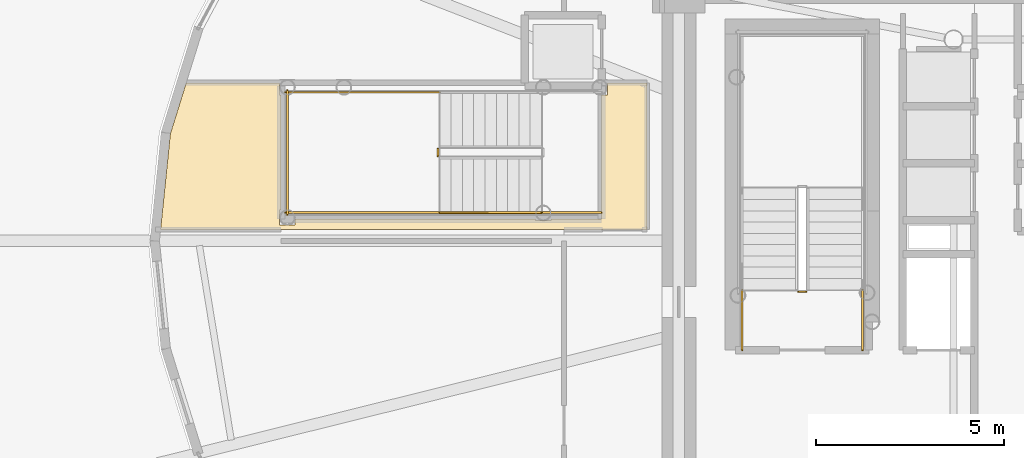
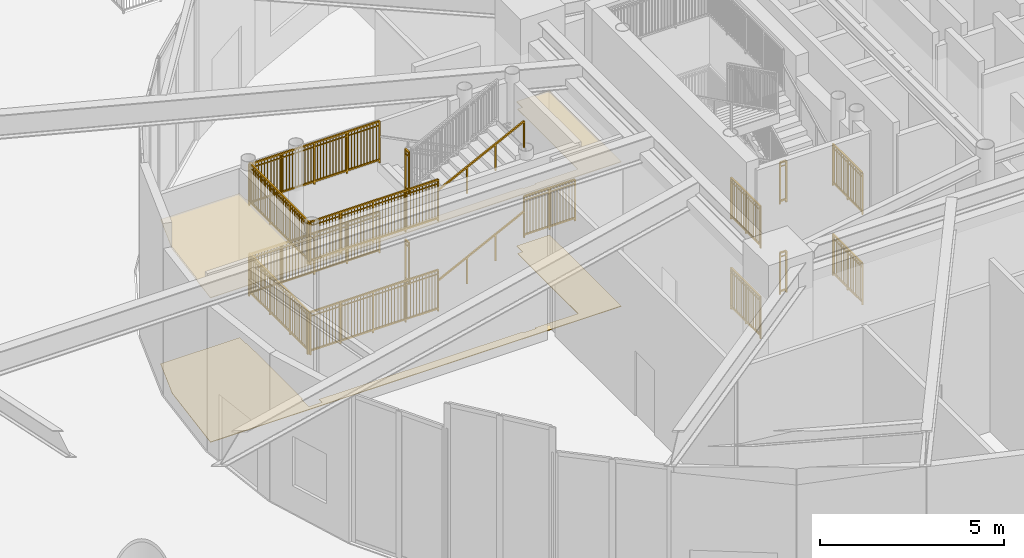
# One storey, part 34 of 46: 17 railings, 2 coverings.
"""IFC4 building model written with IfcOpenShell, lengths in metres."""

from ifc_helpers import new_model, si_unit, direction, frame, origin, origin_2d, place, context, subcontext, project, spatial, polyline, rectangle, outline, extrude, source, transform, mapped, material, layer, layer_set, type_object, element, save


model = new_model("IFC4")

# Units and contexts
model_context = context("Model", 3, precision=1e-05, world=origin(), true_north=direction((0.0, 1.0)))
body_context = subcontext(model_context, "Body", "Model", "MODEL_VIEW")
ifc_project = project(units=[si_unit("LENGTHUNIT", "METRE"), si_unit("AREAUNIT", "SQUARE_METRE"), si_unit("VOLUMEUNIT", "CUBIC_METRE"), si_unit("PLANEANGLEUNIT", "RADIAN"), si_unit("MASSUNIT", "GRAM", prefix="KILO")], contexts=[model_context])

# Site, building, storey
site_placement = place(None, origin())
site = spatial("IfcSite", under=ifc_project, at=site_placement, CompositionType="ELEMENT")
building_placement = place(site_placement, origin())
building = spatial("IfcBuilding", under=site, at=building_placement, Name="Linh Dai School and Residence Tower", CompositionType="ELEMENT")
storey_placement = place(building_placement, origin())
storey = spatial("IfcBuildingStorey", under=building, at=storey_placement, Name="L00", CompositionType="ELEMENT", Elevation=0.0)

# Coverings
ifc_material_1 = material(Name="Mineral Fibre Acoustic Suspended Ceiling", Category="masonry")
ifc_layer_1 = layer(ifc_material_1, 0.02001953125)
ifc_layer_set_1 = layer_set([ifc_layer_1], Name="Mineral Fibre Acoustic Suspended Ceiling")
covering_type_1 = type_object("IfcCoveringType", Name="COV-CEIL-AC-20", PredefinedType="CEILING", material=ifc_layer_set_1)
covering_1_placement = place(storey_placement, frame((0.0, 0.0, 4.800048828125)))
element("IfcCovering", 1, at=covering_1_placement, inside=storey, type_object=covering_type_1, Name="L00 Protected Exit Stair STS1 Discharge Passage West Suspended Ceiling", PredefinedType="CEILING", context=body_context, shape_type="SweptSolid", body=[
    extrude(outline(polyline([(12.962890625, 31.199951171875), (15.44677734375, 31.199951171875), (15.44677734375, 30.876708984375), (15.47998046875, 30.876708984375), (15.47998046875, 27.8232421875), (15.44677734375, 27.8232421875), (15.44677734375, 27.416748046875), (15.853271484375, 27.416748046875), (15.853271484375, 27.580078125), (22.246826171875, 27.580078125), (22.246826171875, 27.536865234375), (22.6533203125, 27.536865234375), (22.6533203125, 27.580078125), (24.0, 27.580078125), (24.0, 30.876708984375), (24.1533203125, 30.876708984375), (24.1533203125, 31.199951171875), (25.199951171875, 31.199951171875), (25.199951171875, 27.300048828125), (12.280517578125, 27.300048828125), (12.540283203125, 29.84375), (12.962890625, 31.199951171875)])), origin(), (0.0, 0.0, 1.0), 0.02001953125),
])
ifc_material_2 = material(Name="Polished Terrazzo Floor Finish", Category="masonry")
ifc_layer_2 = layer(ifc_material_2, 0.02490234375)
ifc_layer_set_2 = layer_set([ifc_layer_2], Name="Polished Terrazzo Floor Finish")
covering_type_2 = type_object("IfcCoveringType", Name="COV-FLR-TRZ-25", PredefinedType="FLOORING", material=ifc_layer_set_2)
covering_2_placement = place(storey_placement, origin())
element("IfcCovering", 2, at=covering_2_placement, inside=storey, type_object=covering_type_2, Name="L00 Protected Exit Stair STS1 Discharge Passage West Floor Finish", PredefinedType="FLOORING", context=body_context, shape_type="SweptSolid", body=[
    extrude(outline(polyline([(12.962890625, 31.199951171875), (15.44677734375, 31.199951171875), (15.44677734375, 30.876708984375), (15.47998046875, 30.876708984375), (15.47998046875, 27.8232421875), (15.44677734375, 27.8232421875), (15.44677734375, 27.416748046875), (15.853271484375, 27.416748046875), (15.853271484375, 27.580078125), (22.246826171875, 27.580078125), (22.246826171875, 27.536865234375), (22.6533203125, 27.536865234375), (22.6533203125, 27.580078125), (24.0, 27.580078125), (24.0, 30.876708984375), (24.1533203125, 30.876708984375), (24.1533203125, 31.199951171875), (25.199951171875, 31.199951171875), (25.199951171875, 27.300048828125), (12.280517578125, 27.300048828125), (12.540283203125, 29.84375), (12.962890625, 31.199951171875)])), origin(), (0.0, 0.0, 1.0), 0.02001953125),
])

# Railings
ifc_material_3 = material(Name="Structural Steel S355JR", Category="steel")
railing_type_1 = type_object("IfcRailingType", Name="RL-ST-GUARD-1400", PredefinedType="GUARDRAIL", material=ifc_material_3)
shared_shape_1 = source(origin(), body_context, "Body", "SweptSolid", [
    extrude(rectangle(XDim=0.048095703125, YDim=0.048095703125, at=origin_2d()), frame((0.0, 0.0, 1.3759765625), z_axis=(-1.0, 0.0, 0.0), x_axis=(0.0, -1.0, 0.0)), (0.0, 0.0, 1.0), 0.199951171875),
    extrude(rectangle(XDim=0.048095703125, YDim=0.048095703125, at=origin_2d()), frame((0.0, 0.0, 0.10009765625), z_axis=(-1.0, 0.0, 0.0), x_axis=(0.0, -1.0, 0.0)), (0.0, 0.0, 1.0), 0.199951171875),
    extrude(rectangle(XDim=0.030029296875, YDim=0.030029296875, at=origin_2d()), frame((0.0, 0.0, 1.239990234375), z_axis=(-1.0, 0.0, 0.0), x_axis=(0.0, -1.0, 0.0)), (0.0, 0.0, 1.0), 0.199951171875),
    extrude(rectangle(XDim=0.0419921875, YDim=0.0419921875, at=origin_2d()), origin(), (0.0, 0.0, 1.0), 1.3759765625),
    extrude(rectangle(XDim=0.0419921875, YDim=0.0419921875, at=origin_2d()), frame((-0.199951171875, 0.0, 0.0)), (0.0, 0.0, 1.0), 1.3759765625),
])
for number, where, name in (
    (3, (29.429931640625, 25.64990234375, 3.0), "L00 ST1 stair guard 7"),
    (4, (29.429931640625, 25.64990234375, 0.0), "L00 ST1 stair guard 16"),
):
    element("IfcRailing", number, at=place(storey_placement, frame(where)), inside=storey, type_object=railing_type_1, Name=name, PredefinedType="GUARDRAIL", context=body_context, shape_type="MappedRepresentation", body=[
        mapped(shared_shape_1, transform((0.0, 0.0, 0.0), x_axis=(1.0, 0.0, 0.0), y_axis=(0.0, 1.0, 0.0), z_axis=(0.0, 0.0, 1.0), scale=1.0)),
    ])
shared_shape_2 = source(origin(), body_context, "Body", "SweptSolid", [
    extrude(rectangle(XDim=0.048095703125, YDim=0.048095703125, at=origin_2d()), frame((0.0, 0.0, 1.3759765625), z_axis=(0.0, 1.0, 0.0), x_axis=(-1.0, 0.0, 0.0)), (0.0, 0.0, 1.0), 1.599853515625),
    extrude(rectangle(XDim=0.048095703125, YDim=0.048095703125, at=origin_2d()), frame((0.0, 0.0, 0.10009765625), z_axis=(0.0, 1.0, 0.0), x_axis=(-1.0, 0.0, 0.0)), (0.0, 0.0, 1.0), 1.599853515625),
    extrude(rectangle(XDim=0.030029296875, YDim=0.030029296875, at=origin_2d()), frame((0.0, 0.0, 1.239990234375), z_axis=(0.0, 1.0, 0.0), x_axis=(-1.0, 0.0, 0.0)), (0.0, 0.0, 1.0), 1.599853515625),
    extrude(rectangle(XDim=0.02001953125, YDim=0.02001953125, at=origin_2d()), frame((0.0, 0.093994140625, 0.10009765625)), (0.0, 0.0, 1.0), 1.251708984375),
    extrude(rectangle(XDim=0.02001953125, YDim=0.02001953125, at=origin_2d()), frame((0.0, 0.188232421875, 0.10009765625)), (0.0, 0.0, 1.0), 1.251708984375),
    extrude(rectangle(XDim=0.02001953125, YDim=0.02001953125, at=origin_2d()), frame((0.0, 0.2822265625, 0.10009765625)), (0.0, 0.0, 1.0), 1.251708984375),
    extrude(rectangle(XDim=0.02001953125, YDim=0.02001953125, at=origin_2d()), frame((0.0, 0.37646484375, 0.10009765625)), (0.0, 0.0, 1.0), 1.251708984375),
    extrude(rectangle(XDim=0.02001953125, YDim=0.02001953125, at=origin_2d()), frame((0.0, 0.470458984375, 0.10009765625)), (0.0, 0.0, 1.0), 1.251708984375),
    extrude(rectangle(XDim=0.02001953125, YDim=0.02001953125, at=origin_2d()), frame((0.0, 0.564697265625, 0.10009765625)), (0.0, 0.0, 1.0), 1.251708984375),
    extrude(rectangle(XDim=0.02001953125, YDim=0.02001953125, at=origin_2d()), frame((0.0, 0.65869140625, 0.10009765625)), (0.0, 0.0, 1.0), 1.251708984375),
    extrude(rectangle(XDim=0.02001953125, YDim=0.02001953125, at=origin_2d()), frame((0.0, 0.7529296875, 0.10009765625)), (0.0, 0.0, 1.0), 1.251708984375),
    extrude(rectangle(XDim=0.02001953125, YDim=0.02001953125, at=origin_2d()), frame((0.0, 0.846923828125, 0.10009765625)), (0.0, 0.0, 1.0), 1.251708984375),
    extrude(rectangle(XDim=0.02001953125, YDim=0.02001953125, at=origin_2d()), frame((0.0, 0.941162109375, 0.10009765625)), (0.0, 0.0, 1.0), 1.251708984375),
    extrude(rectangle(XDim=0.02001953125, YDim=0.02001953125, at=origin_2d()), frame((0.0, 1.03515625, 0.10009765625)), (0.0, 0.0, 1.0), 1.251708984375),
    extrude(rectangle(XDim=0.02001953125, YDim=0.02001953125, at=origin_2d()), frame((0.0, 1.12939453125, 0.10009765625)), (0.0, 0.0, 1.0), 1.251708984375),
    extrude(rectangle(XDim=0.02001953125, YDim=0.02001953125, at=origin_2d()), frame((0.0, 1.223388671875, 0.10009765625)), (0.0, 0.0, 1.0), 1.251708984375),
    extrude(rectangle(XDim=0.02001953125, YDim=0.02001953125, at=origin_2d()), frame((0.0, 1.317626953125, 0.10009765625)), (0.0, 0.0, 1.0), 1.251708984375),
    extrude(rectangle(XDim=0.02001953125, YDim=0.02001953125, at=origin_2d()), frame((0.0, 1.41162109375, 0.10009765625)), (0.0, 0.0, 1.0), 1.251708984375),
    extrude(rectangle(XDim=0.02001953125, YDim=0.02001953125, at=origin_2d()), frame((0.0, 1.505859375, 0.10009765625)), (0.0, 0.0, 1.0), 1.251708984375),
    extrude(rectangle(XDim=0.0419921875, YDim=0.0419921875, at=origin_2d()), origin(), (0.0, 0.0, 1.0), 1.3759765625),
    extrude(rectangle(XDim=0.0419921875, YDim=0.0419921875, at=origin_2d()), frame((0.0, 0.7998046875, 0.0)), (0.0, 0.0, 1.0), 1.3759765625),
    extrude(rectangle(XDim=0.0419921875, YDim=0.0419921875, at=origin_2d()), frame((0.0, 1.599853515625, 0.0)), (0.0, 0.0, 1.0), 1.3759765625),
])
for number, where, name in (
    (5, (30.929931640625, 24.10009765625, 3.0), "L00 ST1 stair guard 8"),
    (6, (27.72998046875, 24.10009765625, 3.0), "L00 ST1 stair guard 9"),
    (7, (30.929931640625, 24.10009765625, 0.0), "L00 ST1 stair guard 17"),
    (8, (27.72998046875, 24.10009765625, 0.0), "L00 ST1 stair guard 18"),
):
    element("IfcRailing", number, at=place(storey_placement, frame(where)), inside=storey, type_object=railing_type_1, Name=name, PredefinedType="GUARDRAIL", context=body_context, shape_type="MappedRepresentation", body=[
        mapped(shared_shape_2, transform((0.0, 0.0, 0.0), x_axis=(1.0, 0.0, 0.0), y_axis=(0.0, 1.0, 0.0), z_axis=(0.0, 0.0, 1.0), scale=1.0)),
    ])
shared_shape_3 = source(origin(), body_context, "Body", "SweptSolid", [
    extrude(rectangle(XDim=0.048095703125, YDim=0.048095703125, at=origin_2d()), frame((0.0, 0.0, 1.3759765625), z_axis=(0.0, -1.0, 0.0), x_axis=(1.0, 0.0, 0.0)), (0.0, 0.0, 1.0), 0.199951171875),
    extrude(rectangle(XDim=0.048095703125, YDim=0.048095703125, at=origin_2d()), frame((0.0, 0.0, 0.10009765625), z_axis=(0.0, -1.0, 0.0), x_axis=(1.0, 0.0, 0.0)), (0.0, 0.0, 1.0), 0.199951171875),
    extrude(rectangle(XDim=0.030029296875, YDim=0.030029296875, at=origin_2d()), frame((0.0, 0.0, 1.239990234375), z_axis=(0.0, -1.0, 0.0), x_axis=(1.0, 0.0, 0.0)), (0.0, 0.0, 1.0), 0.199951171875),
    extrude(rectangle(XDim=0.0419921875, YDim=0.0419921875, at=origin_2d()), origin(), (0.0, 0.0, 1.0), 1.3759765625),
    extrude(rectangle(XDim=0.0419921875, YDim=0.0419921875, at=origin_2d()), frame((0.0, -0.199951171875, 0.0)), (0.0, 0.0, 1.0), 1.3759765625),
])
for number, where, name in (
    (9, (19.64990234375, 29.449951171875, 1.5), "L00 STS1 stair guard 2"),
    (10, (19.64990234375, 29.449951171875, 4.5), "L00 STS1 stair guard 11"),
):
    element("IfcRailing", number, at=place(storey_placement, frame(where)), inside=storey, type_object=railing_type_1, Name=name, PredefinedType="GUARDRAIL", context=body_context, shape_type="MappedRepresentation", body=[
        mapped(shared_shape_3, transform((0.0, 0.0, 0.0), x_axis=(1.0, 0.0, 0.0), y_axis=(0.0, 1.0, 0.0), z_axis=(0.0, 0.0, 1.0), scale=1.0)),
    ])
shared_shape_4 = source(origin(), body_context, "Body", "SweptSolid", [
    extrude(rectangle(XDim=0.048095703125, YDim=0.048095703125, at=origin_2d()), frame((0.0, 0.0, 1.3759765625), z_axis=(-1.0, 0.0, 0.0), x_axis=(0.0, -1.0, 0.0)), (0.0, 0.0, 1.0), 4.099853515625),
    extrude(rectangle(XDim=0.048095703125, YDim=0.048095703125, at=origin_2d()), frame((0.0, 0.0, 0.10009765625), z_axis=(-1.0, 0.0, 0.0), x_axis=(0.0, -1.0, 0.0)), (0.0, 0.0, 1.0), 4.099853515625),
    extrude(rectangle(XDim=0.030029296875, YDim=0.030029296875, at=origin_2d()), frame((0.0, 0.0, 1.239990234375), z_axis=(-1.0, 0.0, 0.0), x_axis=(0.0, -1.0, 0.0)), (0.0, 0.0, 1.0), 4.099853515625),
    extrude(rectangle(XDim=0.02001953125, YDim=0.02001953125, at=origin_2d()), frame((-0.09765625, 0.0, 0.10009765625)), (0.0, 0.0, 1.0), 1.251708984375),
    extrude(rectangle(XDim=0.02001953125, YDim=0.02001953125, at=origin_2d()), frame((-0.1953125, 0.0, 0.10009765625)), (0.0, 0.0, 1.0), 1.251708984375),
    extrude(rectangle(XDim=0.02001953125, YDim=0.02001953125, at=origin_2d()), frame((-0.29296875, 0.0, 0.10009765625)), (0.0, 0.0, 1.0), 1.251708984375),
    extrude(rectangle(XDim=0.02001953125, YDim=0.02001953125, at=origin_2d()), frame((-0.390380859375, 0.0, 0.10009765625)), (0.0, 0.0, 1.0), 1.251708984375),
    extrude(rectangle(XDim=0.02001953125, YDim=0.02001953125, at=origin_2d()), frame((-0.488037109375, 0.0, 0.10009765625)), (0.0, 0.0, 1.0), 1.251708984375),
    extrude(rectangle(XDim=0.02001953125, YDim=0.02001953125, at=origin_2d()), frame((-0.585693359375, 0.0, 0.10009765625)), (0.0, 0.0, 1.0), 1.251708984375),
    extrude(rectangle(XDim=0.02001953125, YDim=0.02001953125, at=origin_2d()), frame((-0.683349609375, 0.0, 0.10009765625)), (0.0, 0.0, 1.0), 1.251708984375),
    extrude(rectangle(XDim=0.02001953125, YDim=0.02001953125, at=origin_2d()), frame((-0.781005859375, 0.0, 0.10009765625)), (0.0, 0.0, 1.0), 1.251708984375),
    extrude(rectangle(XDim=0.02001953125, YDim=0.02001953125, at=origin_2d()), frame((-0.87841796875, 0.0, 0.10009765625)), (0.0, 0.0, 1.0), 1.251708984375),
    extrude(rectangle(XDim=0.02001953125, YDim=0.02001953125, at=origin_2d()), frame((-0.97607421875, 0.0, 0.10009765625)), (0.0, 0.0, 1.0), 1.251708984375),
    extrude(rectangle(XDim=0.02001953125, YDim=0.02001953125, at=origin_2d()), frame((-1.07373046875, 0.0, 0.10009765625)), (0.0, 0.0, 1.0), 1.251708984375),
    extrude(rectangle(XDim=0.02001953125, YDim=0.02001953125, at=origin_2d()), frame((-1.17138671875, 0.0, 0.10009765625)), (0.0, 0.0, 1.0), 1.251708984375),
    extrude(rectangle(XDim=0.02001953125, YDim=0.02001953125, at=origin_2d()), frame((-1.26904296875, 0.0, 0.10009765625)), (0.0, 0.0, 1.0), 1.251708984375),
    extrude(rectangle(XDim=0.02001953125, YDim=0.02001953125, at=origin_2d()), frame((-1.36669921875, 0.0, 0.10009765625)), (0.0, 0.0, 1.0), 1.251708984375),
    extrude(rectangle(XDim=0.02001953125, YDim=0.02001953125, at=origin_2d()), frame((-1.46435546875, 0.0, 0.10009765625)), (0.0, 0.0, 1.0), 1.251708984375),
    extrude(rectangle(XDim=0.02001953125, YDim=0.02001953125, at=origin_2d()), frame((-1.561767578125, 0.0, 0.10009765625)), (0.0, 0.0, 1.0), 1.251708984375),
    extrude(rectangle(XDim=0.02001953125, YDim=0.02001953125, at=origin_2d()), frame((-1.659423828125, 0.0, 0.10009765625)), (0.0, 0.0, 1.0), 1.251708984375),
    extrude(rectangle(XDim=0.02001953125, YDim=0.02001953125, at=origin_2d()), frame((-1.757080078125, 0.0, 0.10009765625)), (0.0, 0.0, 1.0), 1.251708984375),
    extrude(rectangle(XDim=0.02001953125, YDim=0.02001953125, at=origin_2d()), frame((-1.854736328125, 0.0, 0.10009765625)), (0.0, 0.0, 1.0), 1.251708984375),
    extrude(rectangle(XDim=0.02001953125, YDim=0.02001953125, at=origin_2d()), frame((-1.952392578125, 0.0, 0.10009765625)), (0.0, 0.0, 1.0), 1.251708984375),
    extrude(rectangle(XDim=0.02001953125, YDim=0.02001953125, at=origin_2d()), frame((-2.1474609375, 0.0, 0.10009765625)), (0.0, 0.0, 1.0), 1.251708984375),
    extrude(rectangle(XDim=0.02001953125, YDim=0.02001953125, at=origin_2d()), frame((-2.2451171875, 0.0, 0.10009765625)), (0.0, 0.0, 1.0), 1.251708984375),
    extrude(rectangle(XDim=0.02001953125, YDim=0.02001953125, at=origin_2d()), frame((-2.3427734375, 0.0, 0.10009765625)), (0.0, 0.0, 1.0), 1.251708984375),
    extrude(rectangle(XDim=0.02001953125, YDim=0.02001953125, at=origin_2d()), frame((-2.4404296875, 0.0, 0.10009765625)), (0.0, 0.0, 1.0), 1.251708984375),
    extrude(rectangle(XDim=0.02001953125, YDim=0.02001953125, at=origin_2d()), frame((-2.5380859375, 0.0, 0.10009765625)), (0.0, 0.0, 1.0), 1.251708984375),
    extrude(rectangle(XDim=0.02001953125, YDim=0.02001953125, at=origin_2d()), frame((-2.6357421875, 0.0, 0.10009765625)), (0.0, 0.0, 1.0), 1.251708984375),
    extrude(rectangle(XDim=0.02001953125, YDim=0.02001953125, at=origin_2d()), frame((-2.733154296875, 0.0, 0.10009765625)), (0.0, 0.0, 1.0), 1.251708984375),
    extrude(rectangle(XDim=0.02001953125, YDim=0.02001953125, at=origin_2d()), frame((-2.830810546875, 0.0, 0.10009765625)), (0.0, 0.0, 1.0), 1.251708984375),
    extrude(rectangle(XDim=0.02001953125, YDim=0.02001953125, at=origin_2d()), frame((-2.928466796875, 0.0, 0.10009765625)), (0.0, 0.0, 1.0), 1.251708984375),
    extrude(rectangle(XDim=0.02001953125, YDim=0.02001953125, at=origin_2d()), frame((-3.026123046875, 0.0, 0.10009765625)), (0.0, 0.0, 1.0), 1.251708984375),
    extrude(rectangle(XDim=0.02001953125, YDim=0.02001953125, at=origin_2d()), frame((-3.123779296875, 0.0, 0.10009765625)), (0.0, 0.0, 1.0), 1.251708984375),
    extrude(rectangle(XDim=0.02001953125, YDim=0.02001953125, at=origin_2d()), frame((-3.22119140625, 0.0, 0.10009765625)), (0.0, 0.0, 1.0), 1.251708984375),
    extrude(rectangle(XDim=0.02001953125, YDim=0.02001953125, at=origin_2d()), frame((-3.31884765625, 0.0, 0.10009765625)), (0.0, 0.0, 1.0), 1.251708984375),
    extrude(rectangle(XDim=0.02001953125, YDim=0.02001953125, at=origin_2d()), frame((-3.41650390625, 0.0, 0.10009765625)), (0.0, 0.0, 1.0), 1.251708984375),
    extrude(rectangle(XDim=0.02001953125, YDim=0.02001953125, at=origin_2d()), frame((-3.51416015625, 0.0, 0.10009765625)), (0.0, 0.0, 1.0), 1.251708984375),
    extrude(rectangle(XDim=0.02001953125, YDim=0.02001953125, at=origin_2d()), frame((-3.61181640625, 0.0, 0.10009765625)), (0.0, 0.0, 1.0), 1.251708984375),
    extrude(rectangle(XDim=0.02001953125, YDim=0.02001953125, at=origin_2d()), frame((-3.70947265625, 0.0, 0.10009765625)), (0.0, 0.0, 1.0), 1.251708984375),
    extrude(rectangle(XDim=0.02001953125, YDim=0.02001953125, at=origin_2d()), frame((-3.80712890625, 0.0, 0.10009765625)), (0.0, 0.0, 1.0), 1.251708984375),
    extrude(rectangle(XDim=0.02001953125, YDim=0.02001953125, at=origin_2d()), frame((-3.904541015625, 0.0, 0.10009765625)), (0.0, 0.0, 1.0), 1.251708984375),
    extrude(rectangle(XDim=0.02001953125, YDim=0.02001953125, at=origin_2d()), frame((-4.002197265625, 0.0, 0.10009765625)), (0.0, 0.0, 1.0), 1.251708984375),
    extrude(rectangle(XDim=0.0419921875, YDim=0.0419921875, at=origin_2d()), origin(), (0.0, 0.0, 1.0), 1.3759765625),
    extrude(rectangle(XDim=0.0419921875, YDim=0.0419921875, at=origin_2d()), frame((-1.02490234375, 0.0, 0.0)), (0.0, 0.0, 1.0), 1.3759765625),
    extrude(rectangle(XDim=0.0419921875, YDim=0.0419921875, at=origin_2d()), frame((-2.0498046875, 0.0, 0.0)), (0.0, 0.0, 1.0), 1.3759765625),
    extrude(rectangle(XDim=0.0419921875, YDim=0.0419921875, at=origin_2d()), frame((-3.074951171875, 0.0, 0.0)), (0.0, 0.0, 1.0), 1.3759765625),
    extrude(rectangle(XDim=0.0419921875, YDim=0.0419921875, at=origin_2d()), frame((-4.099853515625, 0.0, 0.0)), (0.0, 0.0, 1.0), 1.3759765625),
])
for number, where, name in (
    (11, (19.699951171875, 30.949951171875, 1.5), "L00 STS1 stair guard 3"),
    (12, (19.699951171875, 27.75, 1.5), "L00 STS1 stair guard 4"),
    (13, (19.699951171875, 30.949951171875, 4.5), "L00 STS1 stair guard 12"),
    (14, (19.699951171875, 27.75, 4.5), "L00 STS1 stair guard 13"),
):
    element("IfcRailing", number, at=place(storey_placement, frame(where)), inside=storey, type_object=railing_type_1, Name=name, PredefinedType="GUARDRAIL", context=body_context, shape_type="MappedRepresentation", body=[
        mapped(shared_shape_4, transform((0.0, 0.0, 0.0), x_axis=(1.0, 0.0, 0.0), y_axis=(0.0, 1.0, 0.0), z_axis=(0.0, 0.0, 1.0), scale=1.0)),
    ])
shared_shape_5 = source(origin(), body_context, "Body", "SweptSolid", [
    extrude(rectangle(XDim=0.048095703125, YDim=0.048095703125, at=origin_2d()), frame((0.0, 0.0, 1.3759765625), z_axis=(0.0, -1.0, 0.0), x_axis=(1.0, 0.0, 0.0)), (0.0, 0.0, 1.0), 3.300048828125),
    extrude(rectangle(XDim=0.048095703125, YDim=0.048095703125, at=origin_2d()), frame((0.0, 0.0, 0.10009765625), z_axis=(0.0, -1.0, 0.0), x_axis=(1.0, 0.0, 0.0)), (0.0, 0.0, 1.0), 3.300048828125),
    extrude(rectangle(XDim=0.030029296875, YDim=0.030029296875, at=origin_2d()), frame((0.0, 0.0, 1.239990234375), z_axis=(0.0, -1.0, 0.0), x_axis=(1.0, 0.0, 0.0)), (0.0, 0.0, 1.0), 3.300048828125),
    extrude(rectangle(XDim=0.02001953125, YDim=0.02001953125, at=origin_2d()), frame((0.0, -0.09716796875, 0.10009765625)), (0.0, 0.0, 1.0), 1.251708984375),
    extrude(rectangle(XDim=0.02001953125, YDim=0.02001953125, at=origin_2d()), frame((0.0, -0.194091796875, 0.10009765625)), (0.0, 0.0, 1.0), 1.251708984375),
    extrude(rectangle(XDim=0.02001953125, YDim=0.02001953125, at=origin_2d()), frame((0.0, -0.291259765625, 0.10009765625)), (0.0, 0.0, 1.0), 1.251708984375),
    extrude(rectangle(XDim=0.02001953125, YDim=0.02001953125, at=origin_2d()), frame((0.0, -0.38818359375, 0.10009765625)), (0.0, 0.0, 1.0), 1.251708984375),
    extrude(rectangle(XDim=0.02001953125, YDim=0.02001953125, at=origin_2d()), frame((0.0, -0.4853515625, 0.10009765625)), (0.0, 0.0, 1.0), 1.251708984375),
    extrude(rectangle(XDim=0.02001953125, YDim=0.02001953125, at=origin_2d()), frame((0.0, -0.582275390625, 0.10009765625)), (0.0, 0.0, 1.0), 1.251708984375),
    extrude(rectangle(XDim=0.02001953125, YDim=0.02001953125, at=origin_2d()), frame((0.0, -0.679443359375, 0.10009765625)), (0.0, 0.0, 1.0), 1.251708984375),
    extrude(rectangle(XDim=0.02001953125, YDim=0.02001953125, at=origin_2d()), frame((0.0, -0.7763671875, 0.10009765625)), (0.0, 0.0, 1.0), 1.251708984375),
    extrude(rectangle(XDim=0.02001953125, YDim=0.02001953125, at=origin_2d()), frame((0.0, -0.87353515625, 0.10009765625)), (0.0, 0.0, 1.0), 1.251708984375),
    extrude(rectangle(XDim=0.02001953125, YDim=0.02001953125, at=origin_2d()), frame((0.0, -0.970703125, 0.10009765625)), (0.0, 0.0, 1.0), 1.251708984375),
    extrude(rectangle(XDim=0.02001953125, YDim=0.02001953125, at=origin_2d()), frame((0.0, -1.164794921875, 0.10009765625)), (0.0, 0.0, 1.0), 1.251708984375),
    extrude(rectangle(XDim=0.02001953125, YDim=0.02001953125, at=origin_2d()), frame((0.0, -1.26171875, 0.10009765625)), (0.0, 0.0, 1.0), 1.251708984375),
    extrude(rectangle(XDim=0.02001953125, YDim=0.02001953125, at=origin_2d()), frame((0.0, -1.35888671875, 0.10009765625)), (0.0, 0.0, 1.0), 1.251708984375),
    extrude(rectangle(XDim=0.02001953125, YDim=0.02001953125, at=origin_2d()), frame((0.0, -1.455810546875, 0.10009765625)), (0.0, 0.0, 1.0), 1.251708984375),
    extrude(rectangle(XDim=0.02001953125, YDim=0.02001953125, at=origin_2d()), frame((0.0, -1.552978515625, 0.10009765625)), (0.0, 0.0, 1.0), 1.251708984375),
    extrude(rectangle(XDim=0.02001953125, YDim=0.02001953125, at=origin_2d()), frame((0.0, -1.64990234375, 0.10009765625)), (0.0, 0.0, 1.0), 1.251708984375),
    extrude(rectangle(XDim=0.02001953125, YDim=0.02001953125, at=origin_2d()), frame((0.0, -1.7470703125, 0.10009765625)), (0.0, 0.0, 1.0), 1.251708984375),
    extrude(rectangle(XDim=0.02001953125, YDim=0.02001953125, at=origin_2d()), frame((0.0, -1.84423828125, 0.10009765625)), (0.0, 0.0, 1.0), 1.251708984375),
    extrude(rectangle(XDim=0.02001953125, YDim=0.02001953125, at=origin_2d()), frame((0.0, -1.941162109375, 0.10009765625)), (0.0, 0.0, 1.0), 1.251708984375),
    extrude(rectangle(XDim=0.02001953125, YDim=0.02001953125, at=origin_2d()), frame((0.0, -2.038330078125, 0.10009765625)), (0.0, 0.0, 1.0), 1.251708984375),
    extrude(rectangle(XDim=0.02001953125, YDim=0.02001953125, at=origin_2d()), frame((0.0, -2.13525390625, 0.10009765625)), (0.0, 0.0, 1.0), 1.251708984375),
    extrude(rectangle(XDim=0.02001953125, YDim=0.02001953125, at=origin_2d()), frame((0.0, -2.329345703125, 0.10009765625)), (0.0, 0.0, 1.0), 1.251708984375),
    extrude(rectangle(XDim=0.02001953125, YDim=0.02001953125, at=origin_2d()), frame((0.0, -2.426513671875, 0.10009765625)), (0.0, 0.0, 1.0), 1.251708984375),
    extrude(rectangle(XDim=0.02001953125, YDim=0.02001953125, at=origin_2d()), frame((0.0, -2.523681640625, 0.10009765625)), (0.0, 0.0, 1.0), 1.251708984375),
    extrude(rectangle(XDim=0.02001953125, YDim=0.02001953125, at=origin_2d()), frame((0.0, -2.62060546875, 0.10009765625)), (0.0, 0.0, 1.0), 1.251708984375),
    extrude(rectangle(XDim=0.02001953125, YDim=0.02001953125, at=origin_2d()), frame((0.0, -2.7177734375, 0.10009765625)), (0.0, 0.0, 1.0), 1.251708984375),
    extrude(rectangle(XDim=0.02001953125, YDim=0.02001953125, at=origin_2d()), frame((0.0, -2.814697265625, 0.10009765625)), (0.0, 0.0, 1.0), 1.251708984375),
    extrude(rectangle(XDim=0.02001953125, YDim=0.02001953125, at=origin_2d()), frame((0.0, -2.911865234375, 0.10009765625)), (0.0, 0.0, 1.0), 1.251708984375),
    extrude(rectangle(XDim=0.02001953125, YDim=0.02001953125, at=origin_2d()), frame((0.0, -3.0087890625, 0.10009765625)), (0.0, 0.0, 1.0), 1.251708984375),
    extrude(rectangle(XDim=0.02001953125, YDim=0.02001953125, at=origin_2d()), frame((0.0, -3.10595703125, 0.10009765625)), (0.0, 0.0, 1.0), 1.251708984375),
    extrude(rectangle(XDim=0.02001953125, YDim=0.02001953125, at=origin_2d()), frame((0.0, -3.202880859375, 0.10009765625)), (0.0, 0.0, 1.0), 1.251708984375),
    extrude(rectangle(XDim=0.0419921875, YDim=0.0419921875, at=origin_2d()), origin(), (0.0, 0.0, 1.0), 1.3759765625),
    extrude(rectangle(XDim=0.0419921875, YDim=0.0419921875, at=origin_2d()), frame((0.0, -1.10009765625, 0.0)), (0.0, 0.0, 1.0), 1.3759765625),
    extrude(rectangle(XDim=0.0419921875, YDim=0.0419921875, at=origin_2d()), frame((0.0, -2.199951171875, 0.0)), (0.0, 0.0, 1.0), 1.3759765625),
    extrude(rectangle(XDim=0.0419921875, YDim=0.0419921875, at=origin_2d()), frame((0.0, -3.300048828125, 0.0)), (0.0, 0.0, 1.0), 1.3759765625),
])
for number, where, name in (
    (15, (15.64990234375, 31.0, 1.5), "L00 STS1 stair guard 5"),
    (16, (15.64990234375, 31.0, 4.5), "L00 STS1 stair guard 14"),
):
    element("IfcRailing", number, at=place(storey_placement, frame(where)), inside=storey, type_object=railing_type_1, Name=name, PredefinedType="GUARDRAIL", context=body_context, shape_type="MappedRepresentation", body=[
        mapped(shared_shape_5, transform((0.0, 0.0, 0.0), x_axis=(1.0, 0.0, 0.0), y_axis=(0.0, 1.0, 0.0), z_axis=(0.0, 0.0, 1.0), scale=1.0)),
    ])
shared_shape_6 = source(origin(), body_context, "Body", "SweptSolid", [
    extrude(rectangle(XDim=0.048095703125, YDim=0.048095703125, at=origin_2d()), frame((0.0, 0.0, 1.3759765625), z_axis=(-1.0, 0.0, 0.0), x_axis=(0.0, -1.0, 0.0)), (0.0, 0.0, 1.0), 1.60009765625),
    extrude(rectangle(XDim=0.048095703125, YDim=0.048095703125, at=origin_2d()), frame((0.0, 0.0, 0.10009765625), z_axis=(-1.0, 0.0, 0.0), x_axis=(0.0, -1.0, 0.0)), (0.0, 0.0, 1.0), 1.60009765625),
    extrude(rectangle(XDim=0.030029296875, YDim=0.030029296875, at=origin_2d()), frame((0.0, 0.0, 1.239990234375), z_axis=(-1.0, 0.0, 0.0), x_axis=(0.0, -1.0, 0.0)), (0.0, 0.0, 1.0), 1.60009765625),
    extrude(rectangle(XDim=0.02001953125, YDim=0.02001953125, at=origin_2d()), frame((-0.09423828125, 0.0, 0.10009765625)), (0.0, 0.0, 1.0), 1.251708984375),
    extrude(rectangle(XDim=0.02001953125, YDim=0.02001953125, at=origin_2d()), frame((-0.188232421875, 0.0, 0.10009765625)), (0.0, 0.0, 1.0), 1.251708984375),
    extrude(rectangle(XDim=0.02001953125, YDim=0.02001953125, at=origin_2d()), frame((-0.282470703125, 0.0, 0.10009765625)), (0.0, 0.0, 1.0), 1.251708984375),
    extrude(rectangle(XDim=0.02001953125, YDim=0.02001953125, at=origin_2d()), frame((-0.37646484375, 0.0, 0.10009765625)), (0.0, 0.0, 1.0), 1.251708984375),
    extrude(rectangle(XDim=0.02001953125, YDim=0.02001953125, at=origin_2d()), frame((-0.470703125, 0.0, 0.10009765625)), (0.0, 0.0, 1.0), 1.251708984375),
    extrude(rectangle(XDim=0.02001953125, YDim=0.02001953125, at=origin_2d()), frame((-0.564697265625, 0.0, 0.10009765625)), (0.0, 0.0, 1.0), 1.251708984375),
    extrude(rectangle(XDim=0.02001953125, YDim=0.02001953125, at=origin_2d()), frame((-0.658935546875, 0.0, 0.10009765625)), (0.0, 0.0, 1.0), 1.251708984375),
    extrude(rectangle(XDim=0.02001953125, YDim=0.02001953125, at=origin_2d()), frame((-0.7529296875, 0.0, 0.10009765625)), (0.0, 0.0, 1.0), 1.251708984375),
    extrude(rectangle(XDim=0.02001953125, YDim=0.02001953125, at=origin_2d()), frame((-0.84716796875, 0.0, 0.10009765625)), (0.0, 0.0, 1.0), 1.251708984375),
    extrude(rectangle(XDim=0.02001953125, YDim=0.02001953125, at=origin_2d()), frame((-0.941162109375, 0.0, 0.10009765625)), (0.0, 0.0, 1.0), 1.251708984375),
    extrude(rectangle(XDim=0.02001953125, YDim=0.02001953125, at=origin_2d()), frame((-1.035400390625, 0.0, 0.10009765625)), (0.0, 0.0, 1.0), 1.251708984375),
    extrude(rectangle(XDim=0.02001953125, YDim=0.02001953125, at=origin_2d()), frame((-1.12939453125, 0.0, 0.10009765625)), (0.0, 0.0, 1.0), 1.251708984375),
    extrude(rectangle(XDim=0.02001953125, YDim=0.02001953125, at=origin_2d()), frame((-1.2236328125, 0.0, 0.10009765625)), (0.0, 0.0, 1.0), 1.251708984375),
    extrude(rectangle(XDim=0.02001953125, YDim=0.02001953125, at=origin_2d()), frame((-1.317626953125, 0.0, 0.10009765625)), (0.0, 0.0, 1.0), 1.251708984375),
    extrude(rectangle(XDim=0.02001953125, YDim=0.02001953125, at=origin_2d()), frame((-1.411865234375, 0.0, 0.10009765625)), (0.0, 0.0, 1.0), 1.251708984375),
    extrude(rectangle(XDim=0.02001953125, YDim=0.02001953125, at=origin_2d()), frame((-1.505859375, 0.0, 0.10009765625)), (0.0, 0.0, 1.0), 1.251708984375),
    extrude(rectangle(XDim=0.0419921875, YDim=0.0419921875, at=origin_2d()), origin(), (0.0, 0.0, 1.0), 1.3759765625),
    extrude(rectangle(XDim=0.0419921875, YDim=0.0419921875, at=origin_2d()), frame((-0.800048828125, 0.0, 0.0)), (0.0, 0.0, 1.0), 1.3759765625),
    extrude(rectangle(XDim=0.0419921875, YDim=0.0419921875, at=origin_2d()), frame((-1.60009765625, 0.0, 0.0)), (0.0, 0.0, 1.0), 1.3759765625),
])
railing_placement = place(storey_placement, frame((24.0, 27.75, 3.0)))
element("IfcRailing", 17, at=railing_placement, inside=storey, type_object=railing_type_1, Name="L00 STS1 stair guard 9", PredefinedType="GUARDRAIL", context=body_context, shape_type="MappedRepresentation", body=[
    mapped(shared_shape_6, transform((0.0, 0.0, 0.0), x_axis=(1.0, 0.0, 0.0), y_axis=(0.0, 1.0, 0.0), z_axis=(0.0, 0.0, 1.0), scale=1.0)),
])
ifc_material_4 = material(Name="Brushed Stainless Steel Handrail", Category="steel")
railing_type_2 = type_object("IfcRailingType", Name="RL-ST-HANDRAIL-900", PredefinedType="HANDRAIL", material=ifc_material_4)
shared_shape_7 = source(origin(), body_context, "Body", "SweptSolid", [
    extrude(rectangle(XDim=0.048095703125, YDim=0.048095703125, at=origin_2d()), frame((0.0, 0.0, 0.8759765625), z_axis=(0.894411015155, 0.0, 0.447245945728), x_axis=(0.0, 1.0, 0.0)), (0.0, 0.0, 1.0), 3.018798828125),
    extrude(rectangle(XDim=0.0419921875, YDim=0.0419921875, at=origin_2d()), origin(), (0.0, 0.0, 1.0), 0.8759765625),
    extrude(rectangle(XDim=0.0419921875, YDim=0.0419921875, at=origin_2d()), frame((0.89990234375, 0.0, 0.449951171875)), (0.0, 0.0, 1.0), 0.8759765625),
    extrude(rectangle(XDim=0.0419921875, YDim=0.0419921875, at=origin_2d()), frame((1.800048828125, 0.0, 0.900146484375)), (0.0, 0.0, 1.0), 0.8759765625),
    extrude(rectangle(XDim=0.0419921875, YDim=0.0419921875, at=origin_2d()), frame((2.699951171875, 0.0, 1.35009765625)), (0.0, 0.0, 1.0), 0.8759765625),
])
for number, where, name in (
    (18, (19.699951171875, 27.75, 1.64990234375), "L00 STS1 stair handrail 2"),
    (19, (19.699951171875, 27.75, 4.64990234375), "L00 STS1 stair handrail 4"),
):
    element("IfcRailing", number, at=place(storey_placement, frame(where)), inside=storey, type_object=railing_type_2, Name=name, PredefinedType="HANDRAIL", context=body_context, shape_type="MappedRepresentation", body=[
        mapped(shared_shape_7, transform((0.0, 0.0, 0.0), x_axis=(1.0, 0.0, 0.0), y_axis=(0.0, 1.0, 0.0), z_axis=(0.0, 0.0, 1.0), scale=1.0)),
    ])

save(model, "model.ifc")
